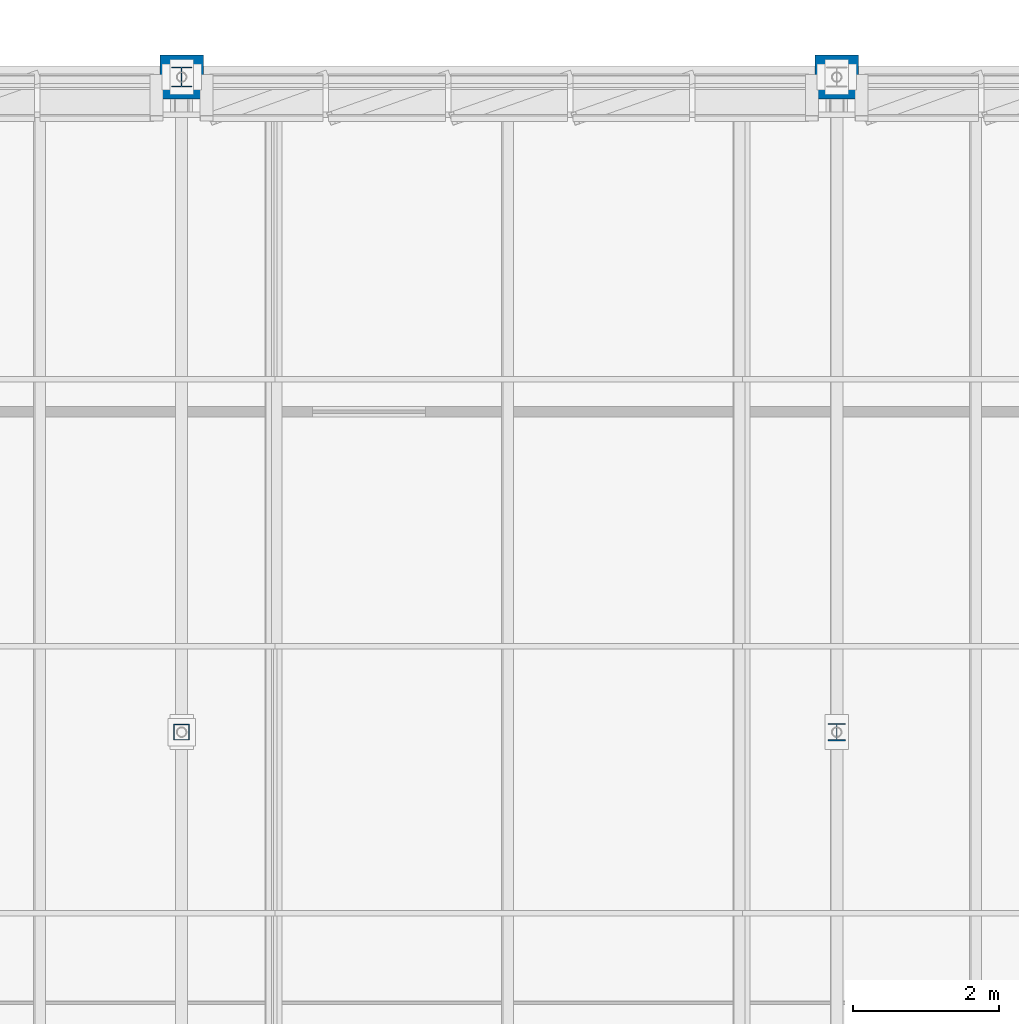
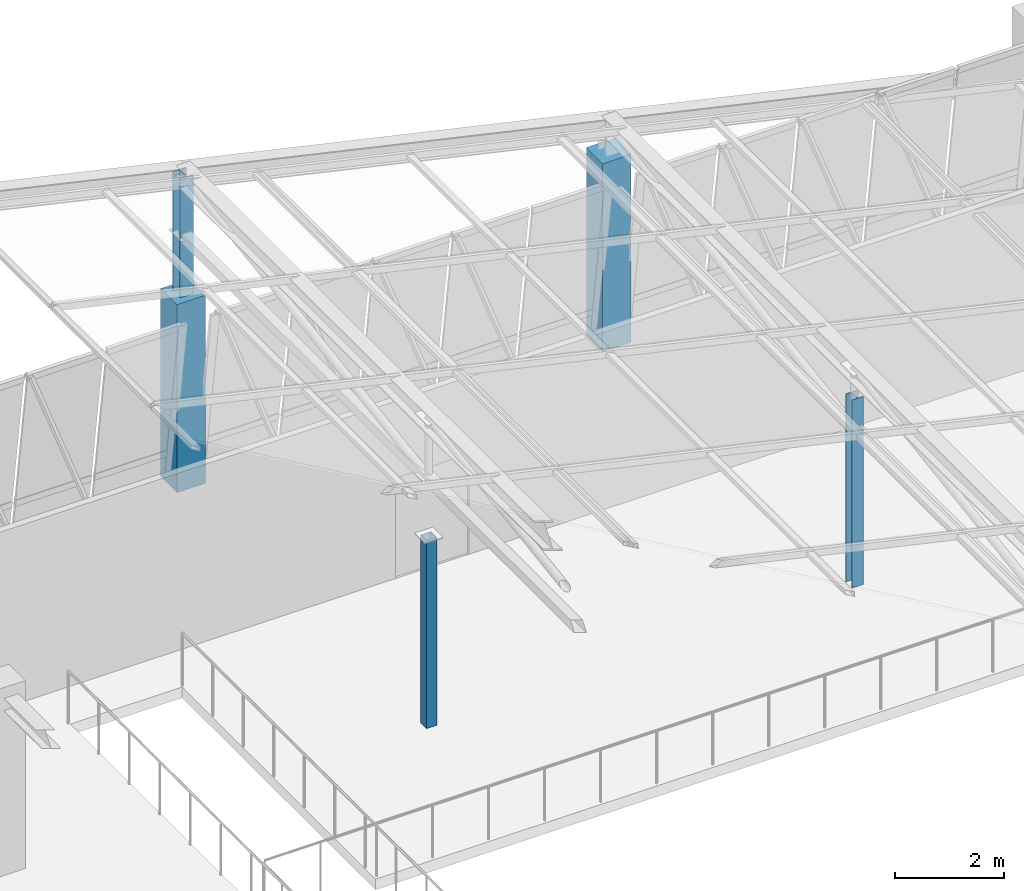
# One storey, part 9 of 130: 5 columns.
"""IFC4 building model written with IfcOpenShell, lengths in metres."""

from ifc_helpers import new_model, si_unit, direction, frame, origin, origin_2d, place, context, subcontext, project, spatial, rectangle, hollow_rectangle, i_section, extrude, material, material_profile, profile_set, type_object, element, save


model = new_model("IFC4")

# Units and contexts
model_context = context("Model", 3, precision=1e-05, world=origin(), true_north=direction((0.0, 1.0)))
body_context = subcontext(model_context, "Body", "Model", "MODEL_VIEW")
ifc_project = project(units=[si_unit("LENGTHUNIT", "METRE"), si_unit("AREAUNIT", "SQUARE_METRE"), si_unit("VOLUMEUNIT", "CUBIC_METRE"), si_unit("PLANEANGLEUNIT", "RADIAN"), si_unit("MASSUNIT", "GRAM", prefix="KILO")], contexts=[model_context])

# Site, building, storey
site_placement = place(None, origin())
site = spatial("IfcSite", under=ifc_project, at=site_placement, CompositionType="ELEMENT")
building_placement = place(site_placement, origin())
building = spatial("IfcBuilding", under=site, at=building_placement, Name="Lykobir Media Centre", CompositionType="ELEMENT")
storey_placement = place(building_placement, frame((0.0, 0.0, 19.199951171875)))
storey = spatial("IfcBuildingStorey", under=building, at=storey_placement, Name="L04", CompositionType="ELEMENT", Elevation=19.199951171875)

# Columns
ifc_material_1 = material(Name="Concrete C40/50", Category="concrete")
ifc_material_profile_1 = material_profile(ifc_material_1, rectangle(XDim=0.60009765625, YDim=0.60009765625, at=origin_2d()), Name="RC 600x600")
ifc_profile_set_1 = profile_set([ifc_material_profile_1], Name="Concrete C40/50")
column_type_1 = type_object("IfcColumnType", Name="RC-C600-E", PredefinedType="COLUMN", material=ifc_profile_set_1)
for number, where, z_axis, x_axis, name in (
    (1, (54.0, 108.0, 0.0), (0.0, 0.0, 1.0), (1.0, 0.0, 0.0), "Column COL-L04-0540-1080"),
    (2, (63.0, 108.0, 0.0), (0.0, 0.0, 1.0), (1.0, 0.0, 0.0), "Column COL-L04-0630-1080"),
):
    element("IfcColumn", number, at=place(storey_placement, frame(where, z_axis=z_axis, x_axis=x_axis)), inside=storey, type_object=column_type_1, Name=name, PredefinedType="COLUMN", context=body_context, shape_type="SweptSolid", body=[
        extrude(rectangle(XDim=0.60009765625, YDim=0.60009765625, at=origin_2d()), origin(), (0.0, 0.0, 1.0), 4.199951171875),
    ])
ifc_material_2 = material(Name="Steel S355", Category="steel")
ifc_material_profile_2 = material_profile(ifc_material_2, i_section(OverallWidth=0.239990234375, OverallDepth=0.239990234375, WebThickness=0.010009765625, FlangeThickness=0.01708984375, at=origin_2d()), Name="HEB 240")
ifc_profile_set_2 = profile_set([ifc_material_profile_2], Name="Steel S355")
column_type_2 = type_object("IfcColumnType", Name="SC-HEB240", PredefinedType="COLUMN", material=ifc_profile_set_2)
column_1_placement = place(storey_placement, frame((63.0, 99.0, 0.0), z_axis=(0.0, 0.0, 1.0), x_axis=(1.0, 0.0, 0.0)))
element("IfcColumn", 3, at=column_1_placement, inside=storey, type_object=column_type_2, Name="Column COL-L04-0630-0990", PredefinedType="COLUMN", context=body_context, shape_type="SweptSolid", body=[
    extrude(i_section(OverallWidth=0.239990234375, OverallDepth=0.239990234375, WebThickness=0.010009765625, FlangeThickness=0.01708984375, at=origin_2d()), origin(), (0.0, 0.0, 1.0), 4.199951171875),
])
ifc_material_profile_3 = material_profile(ifc_material_2, i_section(OverallWidth=0.280029296875, OverallDepth=0.280029296875, WebThickness=0.010498046875, FlangeThickness=0.01806640625, at=origin_2d()), Name="HEB 280")
ifc_profile_set_3 = profile_set([ifc_material_profile_3], Name="Steel S355")
column_type_3 = type_object("IfcColumnType", Name="SC-HEB280-E", PredefinedType="COLUMN", material=ifc_profile_set_3)
column_2_placement = place(storey_placement, frame((54.0, 108.0, 4.199951171875), z_axis=(0.0, 0.0, 1.0), x_axis=(1.0, 0.0, 0.0)))
element("IfcColumn", 4, at=column_2_placement, inside=storey, type_object=column_type_3, Name="V6 roof portal post 54-108", PredefinedType="COLUMN", context=body_context, shape_type="SweptSolid", body=[
    extrude(i_section(OverallWidth=0.280029296875, OverallDepth=0.280029296875, WebThickness=0.010498046875, FlangeThickness=0.01806640625, at=origin_2d()), origin(), (0.0, 0.0, 1.0), 2.66015625),
])
ifc_material_profile_4 = material_profile(ifc_material_2, hollow_rectangle(XDim=0.219970703125, YDim=0.219970703125, WallThickness=0.012451171875, at=origin_2d()), Name="SHS 220x220x12.5")
ifc_profile_set_4 = profile_set([ifc_material_profile_4], Name="Steel S355")
column_type_4 = type_object("IfcColumnType", Name="SC-SHS220", PredefinedType="COLUMN", material=ifc_profile_set_4)
column_3_placement = place(storey_placement, frame((54.0, 99.0, 0.0), z_axis=(0.0, 0.0, 1.0), x_axis=(1.0, 0.0, 0.0)))
element("IfcColumn", 5, at=column_3_placement, inside=storey, type_object=column_type_4, Name="Column COL-L04-0540-0990", PredefinedType="COLUMN", context=body_context, shape_type="SweptSolid", body=[
    extrude(hollow_rectangle(XDim=0.219970703125, YDim=0.219970703125, WallThickness=0.012451171875, at=origin_2d()), origin(), (0.0, 0.0, 1.0), 4.199951171875),
])

save(model, "model.ifc")
